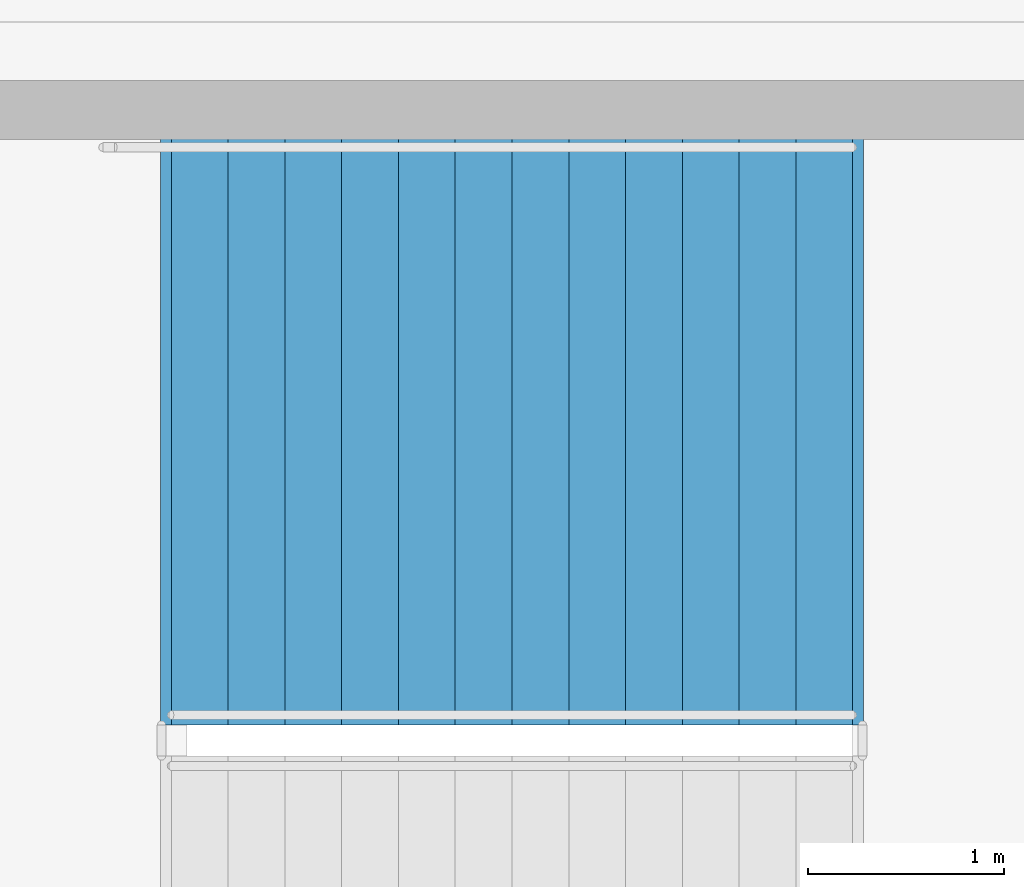
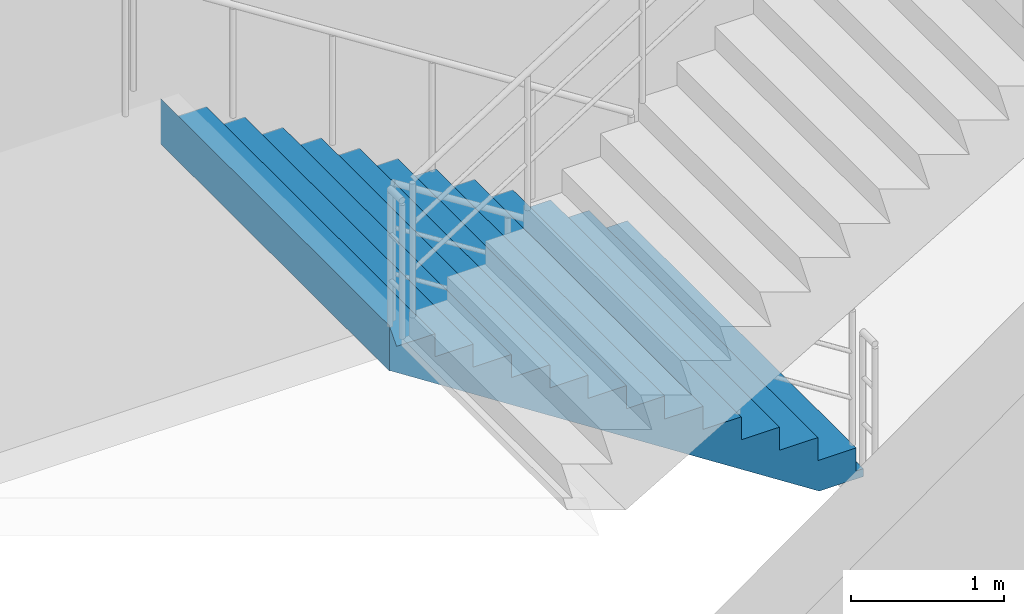
# One storey, part 127 of 144: 1 stair flight, 1 element without a shape of its own.
"""IFC4 building model written with IfcOpenShell, lengths in metres."""

from ifc_helpers import new_model, si_unit, direction, frame, origin, place, context, subcontext, project, spatial, polyline, outline, extrude, material, type_object, element, aggregate, save


model = new_model("IFC4")

# Units and contexts
model_context = context("Model", 3, precision=1e-05, world=origin(), true_north=direction((0.0, 1.0)))
body_context = subcontext(model_context, "Body", "Model", "MODEL_VIEW")
ifc_project = project(units=[si_unit("LENGTHUNIT", "METRE"), si_unit("AREAUNIT", "SQUARE_METRE"), si_unit("VOLUMEUNIT", "CUBIC_METRE"), si_unit("PLANEANGLEUNIT", "RADIAN"), si_unit("MASSUNIT", "GRAM", prefix="KILO")], contexts=[model_context])

# Site, building, storey
site_placement = place(None, origin())
site = spatial("IfcSite", under=ifc_project, at=site_placement, CompositionType="ELEMENT")
building_placement = place(site_placement, origin())
building = spatial("IfcBuilding", under=site, at=building_placement, Name="Cinderbank Siding Concert Hall", CompositionType="ELEMENT")
storey_placement = place(building_placement, frame((0.0, 0.0, 5.39990234375)))
storey = spatial("IfcBuildingStorey", under=building, at=storey_placement, Name="L02", CompositionType="ELEMENT", Elevation=5.39990234375)

# Stair, stair flight
ifc_material = material(Name="Reinforced concrete AS 3600 N50 (50 MPa)", Category="concrete")
stair_type = type_object("IfcStairType", Name="STR-I Dogleg Exit Stair 3000mm", PredefinedType="HALF_TURN_STAIR", material=ifc_material)
stair_placement = place(storey_placement, origin())
stair = element("IfcStair", 1, at=stair_placement, inside=storey, type_object=stair_type, Name="L02 East Link Exit Stair ST-11", PredefinedType="HALF_TURN_STAIR")
stair_flight_type = type_object("IfcStairFlightType", Name="SFL-I Concrete Stair Flight 3000mm", PredefinedType="STRAIGHT", material=ifc_material)
stair_flight_placement = place(storey_placement, frame((159.699951171875, 86.2099609375, 0.0), z_axis=(0.0, 0.0, 1.0), x_axis=(-1.0, 0.0, 0.0)))
stair_flight = element("IfcStairFlight", 2, at=stair_flight_placement, type_object=stair_flight_type, Name="ST-11 flight 1", NumberOfRisers=13, NumberOfTreads=12, PredefinedType="STRAIGHT", RiserHeight=0.184615385, TreadLength=0.29, context=body_context, shape_type="SweptSolid", body=[
    extrude(outline(polyline([(0.0, 0.0), (0.0, 0.1845703125), (0.2900390625, 0.1845703125), (0.2900390625, 0.369140625), (0.580078125, 0.369140625), (0.580078125, 0.553955078125), (0.8701171875, 0.553955078125), (0.8701171875, 0.738525390625), (1.159912109375, 0.738525390625), (1.159912109375, 0.923095703125), (1.449951171875, 0.923095703125), (1.449951171875, 1.107666015625), (1.739990234375, 1.107666015625), (1.739990234375, 1.292236328125), (2.030029296875, 1.292236328125), (2.030029296875, 1.476806640625), (2.320068359375, 1.476806640625), (2.320068359375, 1.66162109375), (2.610107421875, 1.66162109375), (2.610107421875, 1.84619140625), (2.89990234375, 1.84619140625), (2.89990234375, 2.03076171875), (3.18994140625, 2.03076171875), (3.18994140625, 2.21533203125), (3.47998046875, 2.21533203125), (3.534912109375, 2.39990234375), (3.534912109375, 2.03759765625), (3.53466796875, 2.037841796875), (3.53466796875, 2.0380859375), (3.53466796875, 2.038330078125), (3.53466796875, 2.03857421875), (3.53466796875, 2.038818359375), (3.53466796875, 2.0390625), (3.53466796875, 2.039306640625), (3.53466796875, 2.03955078125), (3.53466796875, 2.039794921875), (3.53466796875, 2.0400390625), (3.53466796875, 2.040283203125), (3.53466796875, 2.04052734375), (3.534423828125, 2.04052734375), (3.534423828125, 2.040283203125), (3.534423828125, 2.0400390625), (3.534423828125, 2.039794921875), (3.534423828125, 2.03955078125), (3.534423828125, 2.039306640625), (3.534423828125, 2.0390625), (3.534423828125, 2.038818359375), (3.534423828125, 2.03857421875), (3.534423828125, 2.038330078125), (3.534423828125, 2.0380859375), (3.534423828125, 2.037841796875), (3.534423828125, 2.03759765625), (3.5341796875, 2.037841796875), (3.5341796875, 2.0380859375), (3.5341796875, 2.038330078125), (3.5341796875, 2.03857421875), (3.5341796875, 2.038818359375), (3.5341796875, 2.0390625), (3.5341796875, 2.039306640625), (3.5341796875, 2.03955078125), (3.5341796875, 2.039794921875), (3.5341796875, 2.0400390625), (3.5341796875, 2.040283203125), (3.5341796875, 2.04052734375), (3.533935546875, 2.04052734375), (3.533935546875, 2.040283203125), (3.533935546875, 2.0400390625), (3.533935546875, 2.039794921875), (3.533935546875, 2.03955078125), (3.533935546875, 2.039306640625), (3.533935546875, 2.0390625), (3.533935546875, 2.038818359375), (3.533935546875, 2.03857421875), (3.533935546875, 2.038330078125), (3.533935546875, 2.0380859375), (3.533935546875, 2.037841796875), (3.533935546875, 2.03759765625), (3.53369140625, 2.037841796875), (3.53369140625, 2.0380859375), (3.53369140625, 2.038330078125), (3.53369140625, 2.03857421875), (3.53369140625, 2.038818359375), (3.53369140625, 2.0390625), (3.53369140625, 2.039306640625), (3.53369140625, 2.03955078125), (3.53369140625, 2.039794921875), (3.53369140625, 2.0400390625), (3.53369140625, 2.040283203125), (3.53369140625, 2.04052734375), (3.533447265625, 2.04052734375), (3.533447265625, 2.040283203125), (3.533447265625, 2.0400390625), (3.533447265625, 2.039794921875), (3.533447265625, 2.03955078125), (3.533447265625, 2.039306640625), (3.533447265625, 2.0390625), (3.533447265625, 2.038818359375), (3.533447265625, 2.03857421875), (3.533447265625, 2.038330078125), (3.533447265625, 2.0380859375), (3.533447265625, 2.037841796875), (3.533447265625, 2.03759765625), (3.533203125, 2.037841796875), (3.533203125, 2.0380859375), (3.533203125, 2.038330078125), (3.533203125, 2.03857421875), (3.533203125, 2.038818359375), (3.533203125, 2.0390625), (3.533203125, 2.039306640625), (3.533203125, 2.03955078125), (3.533203125, 2.039794921875), (3.533203125, 2.0400390625), (3.533203125, 2.040283203125), (3.533203125, 2.04052734375), (3.532958984375, 2.04052734375), (3.532958984375, 2.040283203125), (3.532958984375, 2.0400390625), (3.532958984375, 2.039794921875), (3.532958984375, 2.03955078125), (3.532958984375, 2.039306640625), (3.532958984375, 2.0390625), (3.532958984375, 2.038818359375), (3.532958984375, 2.03857421875), (3.532958984375, 2.038330078125), (3.532958984375, 2.0380859375), (3.532958984375, 2.037841796875), (3.532958984375, 2.03759765625), (3.53271484375, 2.037841796875), (3.53271484375, 2.0380859375), (3.53271484375, 2.038330078125), (3.53271484375, 2.03857421875), (3.53271484375, 2.038818359375), (3.53271484375, 2.0390625), (3.53271484375, 2.039306640625), (3.53271484375, 2.03955078125), (3.53271484375, 2.039794921875), (3.53271484375, 2.0400390625), (3.53271484375, 2.040283203125), (3.53271484375, 2.04052734375), (3.532470703125, 2.04052734375), (3.532470703125, 2.040283203125), (3.532470703125, 2.0400390625), (3.532470703125, 2.039794921875), (3.532470703125, 2.03955078125), (3.532470703125, 2.039306640625), (3.532470703125, 2.0390625), (3.532470703125, 2.038818359375), (3.532470703125, 2.03857421875), (3.532470703125, 2.038330078125), (3.532470703125, 2.0380859375), (3.532470703125, 2.037841796875), (3.532470703125, 2.03759765625), (3.5322265625, 2.037841796875), (3.5322265625, 2.0380859375), (3.5322265625, 2.038330078125), (3.5322265625, 2.03857421875), (3.5322265625, 2.038818359375), (3.5322265625, 2.0390625), (3.5322265625, 2.039306640625), (3.5322265625, 2.03955078125), (3.5322265625, 2.039794921875), (3.5322265625, 2.0400390625), (3.5322265625, 2.040283203125), (3.5322265625, 2.04052734375), (3.531982421875, 2.04052734375), (3.531982421875, 2.040283203125), (3.531982421875, 2.0400390625), (3.531982421875, 2.039794921875), (3.531982421875, 2.03955078125), (3.531982421875, 2.039306640625), (3.531982421875, 2.0390625), (3.531982421875, 2.038818359375), (3.531982421875, 2.03857421875), (3.531982421875, 2.038330078125), (3.531982421875, 2.0380859375), (3.531982421875, 2.037841796875), (3.531982421875, 2.03759765625), (3.53173828125, 2.037841796875), (3.53173828125, 2.0380859375), (3.53173828125, 2.038330078125), (3.53173828125, 2.03857421875), (3.53173828125, 2.038818359375), (3.53173828125, 2.0390625), (3.53173828125, 2.039306640625), (3.53173828125, 2.03955078125), (3.53173828125, 2.039794921875), (3.53173828125, 2.0400390625), (3.53173828125, 2.040283203125), (3.53173828125, 2.04052734375), (3.531494140625, 2.04052734375), (3.531494140625, 2.040283203125), (3.531494140625, 2.0400390625), (3.531494140625, 2.039794921875), (3.531494140625, 2.03955078125), (3.531494140625, 2.039306640625), (3.531494140625, 2.0390625), (3.531494140625, 2.038818359375), (3.531494140625, 2.03857421875), (3.531494140625, 2.038330078125), (3.531494140625, 2.0380859375), (3.531494140625, 2.037841796875), (3.531494140625, 2.03759765625), (3.53125, 2.037841796875), (3.53125, 2.0380859375), (3.53125, 2.038330078125), (3.53125, 2.03857421875), (3.53125, 2.038818359375), (3.53125, 2.0390625), (3.53125, 2.039306640625), (3.53125, 2.03955078125), (3.53125, 2.039794921875), (3.53125, 2.0400390625), (3.53125, 2.040283203125), (3.53125, 2.04052734375), (3.531005859375, 2.04052734375), (3.531005859375, 2.040283203125), (3.531005859375, 2.0400390625), (3.531005859375, 2.039794921875), (3.531005859375, 2.03955078125), (3.531005859375, 2.039306640625), (3.531005859375, 2.0390625), (3.531005859375, 2.038818359375), (3.531005859375, 2.03857421875), (3.531005859375, 2.038330078125), (3.531005859375, 2.0380859375), (3.531005859375, 2.037841796875), (3.531005859375, 2.03759765625), (3.53076171875, 2.037841796875), (3.53076171875, 2.0380859375), (3.53076171875, 2.038330078125), (3.53076171875, 2.03857421875), (3.53076171875, 2.038818359375), (3.53076171875, 2.0390625), (3.53076171875, 2.039306640625), (3.53076171875, 2.03955078125), (3.53076171875, 2.039794921875), (3.53076171875, 2.0400390625), (3.53076171875, 2.040283203125), (3.53076171875, 2.04052734375), (3.530517578125, 2.04052734375), (3.530517578125, 2.040283203125), (3.530517578125, 2.0400390625), (3.530517578125, 2.039794921875), (3.530517578125, 2.03955078125), (3.530517578125, 2.039306640625), (3.530517578125, 2.0390625), (3.530517578125, 2.038818359375), (3.530517578125, 2.03857421875), (3.530517578125, 2.038330078125), (3.530517578125, 2.0380859375), (3.530517578125, 2.037841796875), (3.530517578125, 2.03759765625), (3.5302734375, 2.037841796875), (3.5302734375, 2.0380859375), (3.5302734375, 2.038330078125), (3.5302734375, 2.03857421875), (3.5302734375, 2.038818359375), (3.5302734375, 2.0390625), (3.5302734375, 2.039306640625), (3.5302734375, 2.03955078125), (3.5302734375, 2.039794921875), (3.5302734375, 2.0400390625), (3.5302734375, 2.040283203125), (3.5302734375, 2.04052734375), (3.530029296875, 2.04052734375), (3.530029296875, 2.040283203125), (3.530029296875, 2.0400390625), (3.530029296875, 2.039794921875), (3.530029296875, 2.03955078125), (3.530029296875, 2.039306640625), (3.530029296875, 2.0390625), (3.530029296875, 2.038818359375), (3.530029296875, 2.03857421875), (3.530029296875, 2.038330078125), (3.530029296875, 2.0380859375), (3.530029296875, 2.037841796875), (3.530029296875, 2.03759765625), (3.52978515625, 2.037841796875), (3.52978515625, 2.0380859375), (3.52978515625, 2.038330078125), (3.52978515625, 2.03857421875), (3.52978515625, 2.038818359375), (3.52978515625, 2.0390625), (3.52978515625, 2.039306640625), (3.52978515625, 2.03955078125), (3.52978515625, 2.039794921875), (3.52978515625, 2.0400390625), (3.52978515625, 2.040283203125), (3.52978515625, 2.04052734375), (3.529541015625, 2.04052734375), (3.529541015625, 2.040283203125), (3.529541015625, 2.0400390625), (3.529541015625, 2.039794921875), (3.529541015625, 2.03955078125), (3.529541015625, 2.039306640625), (3.529541015625, 2.0390625), (3.529541015625, 2.038818359375), (3.529541015625, 2.03857421875), (3.529541015625, 2.038330078125), (3.529541015625, 2.0380859375), (3.529541015625, 2.037841796875), (3.529541015625, 2.03759765625), (3.529296875, 2.037841796875), (3.529296875, 2.0380859375), (3.529296875, 2.038330078125), (3.529296875, 2.03857421875), (3.529296875, 2.038818359375), (3.529296875, 2.0390625), (3.529296875, 2.039306640625), (3.529296875, 2.03955078125), (3.529296875, 2.039794921875), (3.529296875, 2.0400390625), (3.529296875, 2.040283203125), (3.529296875, 2.04052734375), (3.529052734375, 2.04052734375), (3.529052734375, 2.040283203125), (3.529052734375, 2.0400390625), (3.529052734375, 2.039794921875), (3.529052734375, 2.03955078125), (3.529052734375, 2.039306640625), (3.529052734375, 2.0390625), (3.529052734375, 2.038818359375), (3.529052734375, 2.03857421875), (3.529052734375, 2.038330078125), (3.529052734375, 2.0380859375), (3.529052734375, 2.037841796875), (3.529052734375, 2.03759765625), (3.52880859375, 2.037841796875), (3.52880859375, 2.0380859375), (3.52880859375, 2.038330078125), (3.52880859375, 2.03857421875), (3.52880859375, 2.038818359375), (3.52880859375, 2.0390625), (3.52880859375, 2.039306640625), (3.52880859375, 2.03955078125), (3.52880859375, 2.039794921875), (3.52880859375, 2.0400390625), (3.52880859375, 2.040283203125), (3.52880859375, 2.04052734375), (3.528564453125, 2.04052734375), (3.528564453125, 2.040283203125), (3.528564453125, 2.0400390625), (3.528564453125, 2.039794921875), (3.528564453125, 2.03955078125), (3.528564453125, 2.039306640625), (3.528564453125, 2.0390625), (3.528564453125, 2.038818359375), (3.528564453125, 2.03857421875), (3.528564453125, 2.038330078125), (3.528564453125, 2.0380859375), (3.528564453125, 2.037841796875), (3.528564453125, 2.03759765625), (0.279052734375, -0.06396484375), (-0.048583984375, -0.063720703125), (-0.048583984375, -0.0634765625), (-0.048583984375, -0.063232421875), (-0.048583984375, -0.06298828125), (-0.048583984375, -0.062744140625), (-0.048583984375, -0.0625), (-0.048583984375, -0.062255859375), (-0.048583984375, -0.06201171875), (-0.048583984375, -0.061767578125), (-0.048583984375, -0.0615234375), (-0.048583984375, -0.061279296875), (-0.048583984375, -0.06103515625), (-0.048828125, -0.06103515625), (-0.048828125, -0.061279296875), (-0.048828125, -0.0615234375), (-0.048828125, -0.061767578125), (-0.048828125, -0.06201171875), (-0.048828125, -0.062255859375), (-0.048828125, -0.0625), (-0.048828125, -0.062744140625), (-0.048828125, -0.06298828125), (-0.048828125, -0.063232421875), (-0.048828125, -0.0634765625), (-0.048828125, -0.063720703125), (-0.048828125, -0.06396484375), (-0.049072265625, -0.063720703125), (-0.049072265625, -0.0634765625), (-0.049072265625, -0.063232421875), (-0.049072265625, -0.06298828125), (-0.049072265625, -0.062744140625), (-0.049072265625, -0.0625), (-0.049072265625, -0.062255859375), (-0.049072265625, -0.06201171875), (-0.049072265625, -0.061767578125), (-0.049072265625, -0.0615234375), (-0.049072265625, -0.061279296875), (-0.049072265625, -0.06103515625), (-0.04931640625, -0.06103515625), (-0.04931640625, -0.061279296875), (-0.04931640625, -0.0615234375), (-0.04931640625, -0.061767578125), (-0.04931640625, -0.06201171875), (-0.04931640625, -0.062255859375), (-0.04931640625, -0.0625), (-0.04931640625, -0.062744140625), (-0.04931640625, -0.06298828125), (-0.04931640625, -0.063232421875), (-0.04931640625, -0.0634765625), (-0.04931640625, -0.063720703125), (-0.04931640625, -0.06396484375), (-0.049560546875, -0.063720703125), (-0.049560546875, -0.0634765625), (-0.049560546875, -0.063232421875), (-0.049560546875, -0.06298828125), (-0.049560546875, -0.062744140625), (-0.049560546875, -0.0625), (-0.049560546875, -0.062255859375), (-0.049560546875, -0.06201171875), (-0.049560546875, -0.061767578125), (-0.049560546875, -0.0615234375), (-0.049560546875, -0.061279296875), (-0.049560546875, -0.06103515625), (-0.0498046875, -0.06103515625), (-0.0498046875, -0.061279296875), (-0.0498046875, -0.0615234375), (-0.0498046875, -0.061767578125), (-0.0498046875, -0.06201171875), (-0.0498046875, -0.062255859375), (-0.0498046875, -0.0625), (-0.0498046875, -0.062744140625), (-0.0498046875, -0.06298828125), (-0.0498046875, -0.063232421875), (-0.0498046875, -0.0634765625), (-0.0498046875, -0.063720703125), (-0.0498046875, -0.06396484375), (-0.050048828125, -0.063720703125), (-0.050048828125, -0.0634765625), (-0.050048828125, -0.063232421875), (-0.050048828125, -0.06298828125), (-0.050048828125, -0.062744140625), (-0.050048828125, -0.0625), (-0.050048828125, -0.062255859375), (-0.050048828125, -0.06201171875), (-0.050048828125, -0.061767578125), (-0.050048828125, -0.0615234375), (-0.050048828125, -0.061279296875), (-0.050048828125, -0.06103515625), (-0.05029296875, -0.06103515625), (-0.05029296875, -0.061279296875), (-0.05029296875, -0.0615234375), (-0.05029296875, -0.061767578125), (-0.05029296875, -0.06201171875), (-0.05029296875, -0.062255859375), (-0.05029296875, -0.0625), (-0.05029296875, -0.062744140625), (-0.05029296875, -0.06298828125), (-0.05029296875, -0.063232421875), (-0.05029296875, -0.0634765625), (-0.05029296875, -0.063720703125), (-0.05029296875, -0.06396484375), (-0.050537109375, -0.063720703125), (-0.050537109375, -0.0634765625), (-0.050537109375, -0.063232421875), (-0.050537109375, -0.06298828125), (-0.050537109375, -0.062744140625), (-0.050537109375, -0.0625), (-0.050537109375, -0.062255859375), (-0.050537109375, -0.06201171875), (-0.050537109375, -0.061767578125), (-0.050537109375, -0.0615234375), (-0.050537109375, -0.061279296875), (-0.050537109375, -0.06103515625), (-0.05078125, -0.06103515625), (-0.05078125, -0.061279296875), (-0.05078125, -0.0615234375), (-0.05078125, -0.061767578125), (-0.05078125, -0.06201171875), (-0.05078125, -0.062255859375), (-0.05078125, -0.0625), (-0.05078125, -0.062744140625), (-0.05078125, -0.06298828125), (-0.05078125, -0.063232421875), (-0.05078125, -0.0634765625), (-0.05078125, -0.063720703125), (-0.05078125, -0.06396484375), (-0.051025390625, -0.063720703125), (-0.051025390625, -0.0634765625), (-0.051025390625, -0.063232421875), (-0.051025390625, -0.06298828125), (-0.051025390625, -0.062744140625), (-0.051025390625, -0.0625), (-0.051025390625, -0.062255859375), (-0.051025390625, -0.06201171875), (-0.051025390625, -0.061767578125), (-0.051025390625, -0.0615234375), (-0.051025390625, -0.061279296875), (-0.051025390625, -0.06103515625), (-0.05126953125, -0.06103515625), (-0.05126953125, -0.061279296875), (-0.05126953125, -0.0615234375), (-0.05126953125, -0.061767578125), (-0.05126953125, -0.06201171875), (-0.05126953125, -0.062255859375), (-0.05126953125, -0.0625), (-0.05126953125, -0.062744140625), (-0.05126953125, -0.06298828125), (-0.05126953125, -0.063232421875), (-0.05126953125, -0.0634765625), (-0.05126953125, -0.063720703125), (-0.05126953125, -0.06396484375), (-0.051513671875, -0.063720703125), (-0.051513671875, -0.0634765625), (-0.051513671875, -0.063232421875), (-0.051513671875, -0.06298828125), (-0.051513671875, -0.062744140625), (-0.051513671875, -0.0625), (-0.051513671875, -0.062255859375), (-0.051513671875, -0.06201171875), (-0.051513671875, -0.061767578125), (-0.051513671875, -0.0615234375), (-0.051513671875, -0.061279296875), (-0.051513671875, -0.06103515625), (-0.0517578125, -0.06103515625), (-0.0517578125, -0.061279296875), (-0.0517578125, -0.0615234375), (-0.0517578125, -0.061767578125), (-0.0517578125, -0.06201171875), (-0.0517578125, -0.062255859375), (-0.0517578125, -0.0625), (-0.0517578125, -0.062744140625), (-0.0517578125, -0.06298828125), (-0.0517578125, -0.063232421875), (-0.0517578125, -0.0634765625), (-0.0517578125, -0.063720703125), (-0.0517578125, -0.06396484375), (-0.052001953125, -0.063720703125), (-0.052001953125, -0.0634765625), (-0.052001953125, -0.063232421875), (-0.052001953125, -0.06298828125), (-0.052001953125, -0.062744140625), (-0.052001953125, -0.0625), (-0.052001953125, -0.062255859375), (-0.052001953125, -0.06201171875), (-0.052001953125, -0.061767578125), (-0.052001953125, -0.0615234375), (-0.052001953125, -0.061279296875), (-0.052001953125, -0.06103515625), (-0.05224609375, -0.06103515625), (-0.05224609375, -0.061279296875), (-0.05224609375, -0.0615234375), (-0.05224609375, -0.061767578125), (-0.05224609375, -0.06201171875), (-0.05224609375, -0.062255859375), (-0.05224609375, -0.0625), (-0.05224609375, -0.062744140625), (-0.05224609375, -0.06298828125), (-0.05224609375, -0.063232421875), (-0.05224609375, -0.0634765625), (-0.05224609375, -0.063720703125), (-0.05224609375, -0.06396484375), (-0.052490234375, -0.063720703125), (-0.052490234375, -0.0634765625), (-0.052490234375, -0.063232421875), (-0.052490234375, -0.06298828125), (-0.052490234375, -0.062744140625), (-0.052490234375, -0.0625), (-0.052490234375, -0.062255859375), (-0.052490234375, -0.06201171875), (-0.052490234375, -0.061767578125), (-0.052490234375, -0.0615234375), (-0.052490234375, -0.061279296875), (-0.052490234375, -0.06103515625), (-0.052734375, -0.06103515625), (-0.052734375, -0.061279296875), (-0.052734375, -0.0615234375), (-0.052734375, -0.061767578125), (-0.052734375, -0.06201171875), (-0.052734375, -0.062255859375), (-0.052734375, -0.0625), (-0.052734375, -0.062744140625), (-0.052734375, -0.06298828125), (-0.052734375, -0.063232421875), (-0.052734375, -0.0634765625), (-0.052734375, -0.063720703125), (-0.052734375, -0.06396484375), (-0.052978515625, -0.063720703125), (-0.052978515625, -0.0634765625), (-0.052978515625, -0.063232421875), (-0.052978515625, -0.06298828125), (-0.052978515625, -0.062744140625), (-0.052978515625, -0.0625), (-0.052978515625, -0.062255859375), (-0.052978515625, -0.06201171875), (-0.052978515625, -0.061767578125), (-0.052978515625, -0.0615234375), (-0.052978515625, -0.061279296875), (-0.052978515625, -0.06103515625), (-0.05322265625, -0.06103515625), (-0.05322265625, -0.061279296875), (-0.05322265625, -0.0615234375), (-0.05322265625, -0.061767578125), (-0.05322265625, -0.06201171875), (-0.05322265625, -0.062255859375), (-0.05322265625, -0.0625), (-0.05322265625, -0.062744140625), (-0.05322265625, -0.06298828125), (-0.05322265625, -0.063232421875), (-0.05322265625, -0.0634765625), (-0.05322265625, -0.063720703125), (-0.05322265625, -0.06396484375), (-0.053466796875, -0.063720703125), (-0.053466796875, -0.0634765625), (-0.053466796875, -0.063232421875), (-0.053466796875, -0.06298828125), (-0.053466796875, -0.062744140625), (-0.053466796875, -0.0625), (-0.053466796875, -0.062255859375), (-0.053466796875, -0.06201171875), (-0.053466796875, -0.061767578125), (-0.053466796875, -0.0615234375), (-0.053466796875, -0.061279296875), (-0.053466796875, -0.06103515625), (-0.0537109375, -0.06103515625), (-0.0537109375, -0.061279296875), (-0.0537109375, -0.0615234375), (-0.0537109375, -0.061767578125), (-0.0537109375, -0.06201171875), (-0.0537109375, -0.062255859375), (-0.0537109375, -0.0625), (-0.0537109375, -0.062744140625), (-0.0537109375, -0.06298828125), (-0.0537109375, -0.063232421875), (-0.0537109375, -0.0634765625), (-0.0537109375, -0.063720703125), (-0.0537109375, -0.06396484375), (-0.053955078125, -0.063720703125), (-0.053955078125, -0.0634765625), (-0.053955078125, -0.063232421875), (-0.053955078125, -0.06298828125), (-0.053955078125, -0.062744140625), (-0.053955078125, -0.0625), (-0.053955078125, -0.062255859375), (-0.053955078125, -0.06201171875), (-0.053955078125, -0.061767578125), (-0.053955078125, -0.0615234375), (-0.053955078125, -0.061279296875), (-0.053955078125, -0.06103515625), (-0.05419921875, -0.06103515625), (-0.05419921875, -0.061279296875), (-0.05419921875, -0.0615234375), (-0.05419921875, -0.061767578125), (-0.05419921875, -0.06201171875), (-0.05419921875, -0.062255859375), (-0.05419921875, -0.0625), (-0.05419921875, -0.062744140625), (-0.05419921875, -0.06298828125), (-0.05419921875, -0.063232421875), (-0.05419921875, -0.0634765625), (-0.05419921875, -0.063720703125), (-0.05419921875, -0.06396484375), (-0.054443359375, -0.063720703125), (-0.054443359375, -0.0634765625), (-0.054443359375, -0.063232421875), (-0.054443359375, -0.06298828125), (-0.054443359375, -0.062744140625), (-0.054443359375, -0.0625), (-0.054443359375, -0.062255859375), (-0.054443359375, -0.06201171875), (-0.054443359375, -0.061767578125), (-0.054443359375, -0.0615234375), (-0.054443359375, -0.061279296875), (-0.054443359375, -0.06103515625), (-0.0546875, -0.06103515625), (-0.0546875, -0.061279296875), (-0.0546875, -0.0615234375), (-0.0546875, -0.061767578125), (-0.0546875, -0.06201171875), (-0.0546875, -0.062255859375), (-0.0546875, -0.0625), (-0.0546875, -0.062744140625), (-0.0546875, -0.06298828125), (-0.0546875, -0.063232421875), (-0.0546875, -0.0634765625), (-0.0546875, -0.063720703125), (-0.0546875, -0.06396484375), (-0.054931640625, -0.06396484375), (-0.054931640625, 0.0), (0.0, 0.0)])), frame((0.0, 1.5, 0.0), z_axis=(0.0, -1.0, 0.0), x_axis=(1.0, 0.0, 0.0)), (0.0, 0.0, 1.0), 3.0),
])
aggregate(stair, [stair_flight])

save(model, "model.ifc")
